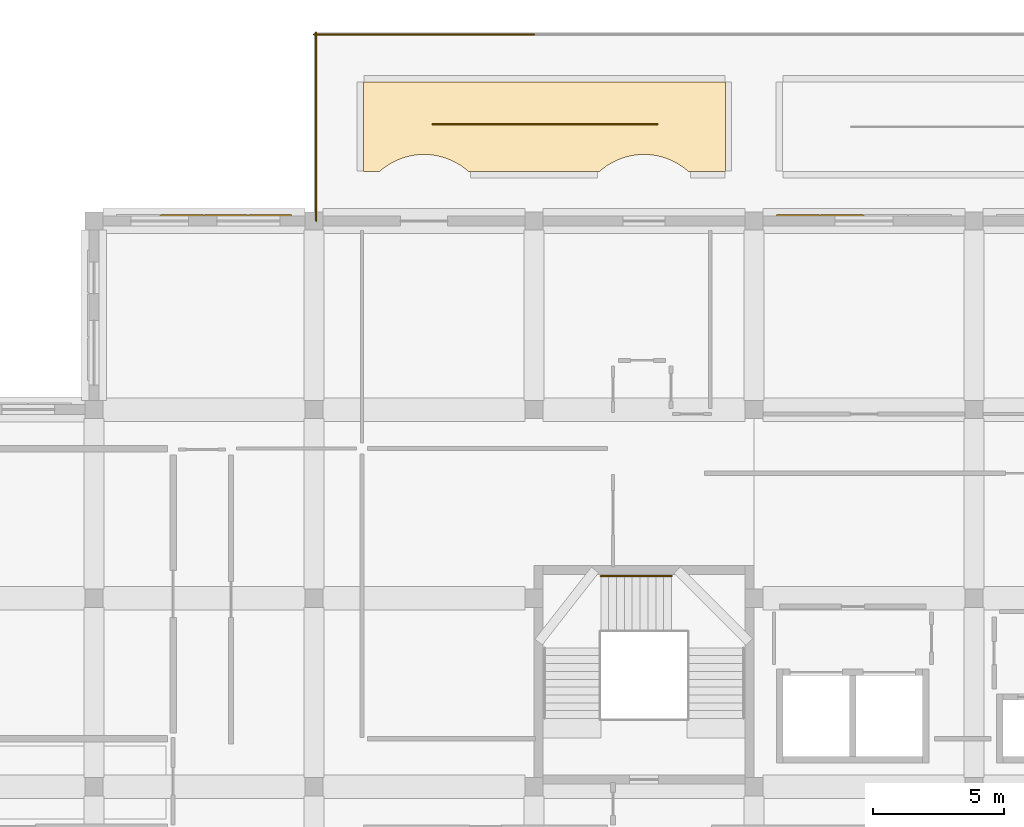
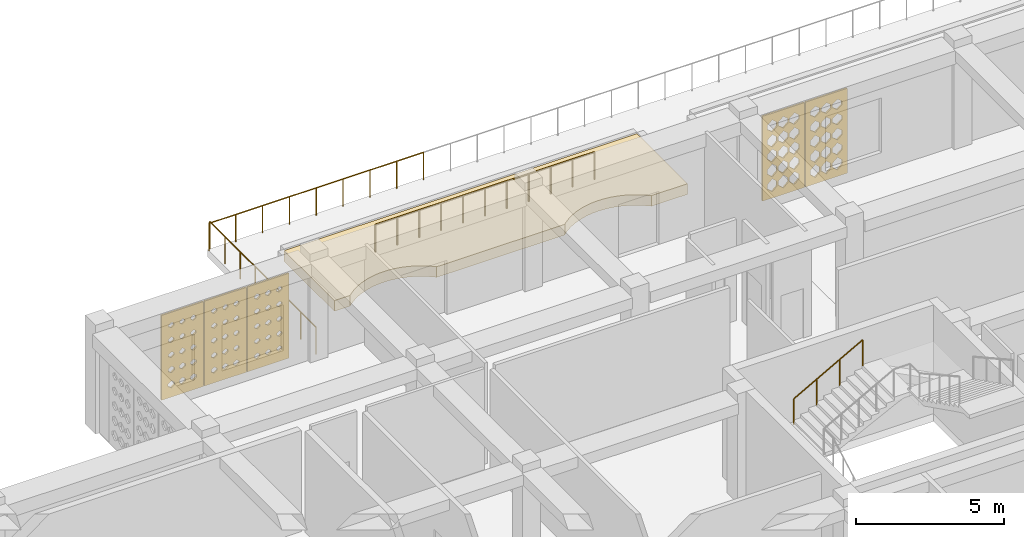
# One storey, part 72 of 79: 6 coverings, 4 railings.
"""IFC4 building model written with IfcOpenShell, lengths in metres."""

from ifc_helpers import new_model, si_unit, derived_unit, direction, frame, origin, origin_2d, place, context, subcontext, project, spatial, polyline, circle, outline, extrude, material, layer, layer_set, type_object, element, save


model = new_model("IFC4")

# Units and contexts
model_context = context("Model", 3, precision=1e-05, world=origin(), true_north=direction((0.0, 1.0)))
body_context = subcontext(model_context, "Body", "Model", "MODEL_VIEW")
ifc_project = project(units=[si_unit("LENGTHUNIT", "METRE"), si_unit("AREAUNIT", "SQUARE_METRE"), si_unit("VOLUMEUNIT", "CUBIC_METRE"), si_unit("PLANEANGLEUNIT", "RADIAN"), si_unit("MASSUNIT", "GRAM", prefix="KILO"), derived_unit("THERMALTRANSMITTANCEUNIT", [(si_unit("POWERUNIT", "WATT"), 1), (si_unit("LENGTHUNIT", "METRE"), -2), (si_unit("THERMODYNAMICTEMPERATUREUNIT", "KELVIN"), -1)])], contexts=[model_context])

# Site, building, storey
site_placement = place(None, origin())
site = spatial("IfcSite", under=ifc_project, at=site_placement, CompositionType="ELEMENT")
building_placement = place(site_placement, origin())
building = spatial("IfcBuilding", under=site, at=building_placement, Name="Veybourne Emporium", CompositionType="ELEMENT")
storey_placement = place(building_placement, frame((0.0, 0.0, 18.89990234375)))
storey = spatial("IfcBuildingStorey", under=building, at=storey_placement, Name="L04", CompositionType="ELEMENT", Elevation=18.89990234375)

# Railings
ifc_material_1 = material(Name="Patinated Architectural Bronze", Category="bronze")
railing_type_1 = type_object("IfcRailingType", Name="Guard_GR-02", PredefinedType="GUARDRAIL", material=ifc_material_1)
railing_1_placement = place(storey_placement, frame((42.0, 100.719970703125, 0.0)))
element("IfcRailing", 1, at=railing_1_placement, inside=storey, type_object=railing_type_1, Name="L04 terrace perimeter guardrail 001", PredefinedType="GUARDRAIL", context=body_context, shape_type="SweptSolid", body=[
    extrude(circle(Radius=0.02392578125, at=origin_2d()), frame((0.0, 0.0, 1.1259765625), z_axis=(1.0, 0.0, 0.0), x_axis=(0.0, 1.0, 0.0)), (0.0, 0.0, 1.0), 8.39990234375),
    extrude(circle(Radius=0.02099609375, at=origin_2d()), origin(), (0.0, 0.0, 1.0), 1.101806640625),
    extrude(circle(Radius=0.02099609375, at=origin_2d()), frame((1.050048828125, 0.0, 0.0)), (0.0, 0.0, 1.0), 1.101806640625),
    extrude(circle(Radius=0.02099609375, at=origin_2d()), frame((2.10009765625, 0.0, 0.0)), (0.0, 0.0, 1.0), 1.101806640625),
    extrude(circle(Radius=0.02099609375, at=origin_2d()), frame((3.14990234375, 0.0, 0.0)), (0.0, 0.0, 1.0), 1.101806640625),
    extrude(circle(Radius=0.02099609375, at=origin_2d()), frame((4.199951171875, 0.0, 0.0)), (0.0, 0.0, 1.0), 1.101806640625),
    extrude(circle(Radius=0.02099609375, at=origin_2d()), frame((5.25, 0.0, 0.0)), (0.0, 0.0, 1.0), 1.101806640625),
    extrude(circle(Radius=0.02099609375, at=origin_2d()), frame((6.2998046875, 0.0, 0.0)), (0.0, 0.0, 1.0), 1.101806640625),
    extrude(circle(Radius=0.02099609375, at=origin_2d()), frame((7.349853515625, 0.0, 0.0)), (0.0, 0.0, 1.0), 1.101806640625),
    extrude(circle(Radius=0.02099609375, at=origin_2d()), frame((8.39990234375, 0.0, 0.0)), (0.0, 0.0, 1.0), 1.101806640625),
])
railing_2_placement = place(storey_placement, frame((42.080078125, 93.60009765625, 0.0)))
element("IfcRailing", 2, at=railing_2_placement, inside=storey, type_object=railing_type_1, Name="L04 terrace perimeter guardrail 002", PredefinedType="GUARDRAIL", context=body_context, shape_type="SweptSolid", body=[
    extrude(circle(Radius=0.02392578125, at=origin_2d()), frame((0.0, 0.0, 1.1259765625), z_axis=(0.0, 1.0, 0.0), x_axis=(-1.0, 0.0, 0.0)), (0.0, 0.0, 1.0), 7.199951171875),
    extrude(circle(Radius=0.02099609375, at=origin_2d()), origin(), (0.0, 0.0, 1.0), 1.101806640625),
    extrude(circle(Radius=0.02099609375, at=origin_2d()), frame((0.0, 1.028564453125, 0.0)), (0.0, 0.0, 1.0), 1.101806640625),
    extrude(circle(Radius=0.02099609375, at=origin_2d()), frame((0.0, 2.05712890625, 0.0)), (0.0, 0.0, 1.0), 1.101806640625),
    extrude(circle(Radius=0.02099609375, at=origin_2d()), frame((0.0, 3.085693359375, 0.0)), (0.0, 0.0, 1.0), 1.101806640625),
    extrude(circle(Radius=0.02099609375, at=origin_2d()), frame((0.0, 4.1142578125, 0.0)), (0.0, 0.0, 1.0), 1.101806640625),
    extrude(circle(Radius=0.02099609375, at=origin_2d()), frame((0.0, 5.142822265625, 0.0)), (0.0, 0.0, 1.0), 1.101806640625),
    extrude(circle(Radius=0.02099609375, at=origin_2d()), frame((0.0, 6.17138671875, 0.0)), (0.0, 0.0, 1.0), 1.101806640625),
    extrude(circle(Radius=0.02099609375, at=origin_2d()), frame((0.0, 7.199951171875, 0.0)), (0.0, 0.0, 1.0), 1.101806640625),
])
railing_3_placement = place(storey_placement, frame((46.531494140625, 97.291015625, 0.440185546875)))
element("IfcRailing", 3, at=railing_3_placement, inside=storey, type_object=railing_type_1, Name="L04 bronze roof-garden trellis balustrade 1.2", PredefinedType="GUARDRAIL", context=body_context, shape_type="SweptSolid", body=[
    extrude(circle(Radius=0.02392578125, at=origin_2d()), frame((0.0, 0.0, 1.1259765625), z_axis=(1.0, 0.0, 0.0), x_axis=(0.0, 1.0, 0.0)), (0.0, 0.0, 1.0), 8.580078125),
    extrude(circle(Radius=0.02099609375, at=origin_2d()), origin(), (0.0, 0.0, 1.0), 1.101806640625),
    extrude(circle(Radius=0.02099609375, at=origin_2d()), frame((0.85791015625, 0.0, 0.0)), (0.0, 0.0, 1.0), 1.101806640625),
    extrude(circle(Radius=0.02099609375, at=origin_2d()), frame((1.716064453125, 0.0, 0.0)), (0.0, 0.0, 1.0), 1.101806640625),
    extrude(circle(Radius=0.02099609375, at=origin_2d()), frame((2.573974609375, 0.0, 0.0)), (0.0, 0.0, 1.0), 1.101806640625),
    extrude(circle(Radius=0.02099609375, at=origin_2d()), frame((3.43212890625, 0.0, 0.0)), (0.0, 0.0, 1.0), 1.101806640625),
    extrude(circle(Radius=0.02099609375, at=origin_2d()), frame((4.2900390625, 0.0, 0.0)), (0.0, 0.0, 1.0), 1.101806640625),
    extrude(circle(Radius=0.02099609375, at=origin_2d()), frame((5.14794921875, 0.0, 0.0)), (0.0, 0.0, 1.0), 1.101806640625),
    extrude(circle(Radius=0.02099609375, at=origin_2d()), frame((6.006103515625, 0.0, 0.0)), (0.0, 0.0, 1.0), 1.101806640625),
    extrude(circle(Radius=0.02099609375, at=origin_2d()), frame((6.864013671875, 0.0, 0.0)), (0.0, 0.0, 1.0), 1.101806640625),
    extrude(circle(Radius=0.02099609375, at=origin_2d()), frame((7.72216796875, 0.0, 0.0)), (0.0, 0.0, 1.0), 1.101806640625),
    extrude(circle(Radius=0.02099609375, at=origin_2d()), frame((8.580078125, 0.0, 0.0)), (0.0, 0.0, 1.0), 1.101806640625),
])
ifc_material_2 = material(Name="Brushed Stainless Steel", Category="steel")
railing_type_2 = type_object("IfcRailingType", Name="Handrail_HR-01", PredefinedType="HANDRAIL", material=ifc_material_2)
railing_4_placement = place(storey_placement, frame((52.949951171875, 80.0400390625, 1.650146484375)))
element("IfcRailing", 4, at=railing_4_placement, inside=storey, type_object=railing_type_2, Name="L04 ST-03 pitch handrail 2", PredefinedType="HANDRAIL", context=body_context, shape_type="SweptSolid", body=[
    extrude(circle(Radius=0.02392578125, at=origin_2d()), frame((0.0, 0.0, 0.92578125), z_axis=(0.87415354758, 0.0, 0.485649642493), x_axis=(0.0, 1.0, 0.0)), (0.0, 0.0, 1.0), 3.088623046875),
    extrude(circle(Radius=0.02099609375, at=origin_2d()), frame((0.0, 0.0, -0.14990234375)), (0.0, 0.0, 1.0), 1.0517578125),
    extrude(circle(Radius=0.02099609375, at=origin_2d()), frame((0.89990234375, 0.0, 0.35009765625)), (0.0, 0.0, 1.0), 1.0517578125),
    extrude(circle(Radius=0.02099609375, at=origin_2d()), frame((1.800048828125, 0.0, 0.85009765625)), (0.0, 0.0, 1.0), 1.0517578125),
    extrude(circle(Radius=0.02099609375, at=origin_2d()), frame((2.699951171875, 0.0, 1.35009765625)), (0.0, 0.0, 1.0), 1.0517578125),
])

# Coverings
ifc_material_3 = material(Name="Intensive Green Roof Build-up", Category="membrane")
ifc_layer_1 = layer(ifc_material_3, 0.43994140625)
ifc_layer_set_1 = layer_set([ifc_layer_1], Name="Intensive Green Roof Build-up")
covering_type_1 = type_object("IfcCoveringType", Name="Roofing_RFG-02", PredefinedType="ROOFING", material=ifc_layer_set_1)
covering_1_placement = place(storey_placement, origin())
element("IfcCovering", 5, at=covering_1_placement, inside=storey, type_object=covering_type_1, Name="L04 intensive planted garden bed 1.2", PredefinedType="ROOFING", context=body_context, shape_type="SweptSolid", body=[
    extrude(outline(polyline([(44.505615234375, 95.489990234375), (43.889892578125, 95.489990234375), (43.889892578125, 98.909912109375), (57.7099609375, 98.909912109375), (57.7099609375, 95.489990234375), (56.29443359375, 95.489990234375), (56.24755859375, 95.532470703125), (56.173828125, 95.5927734375), (56.050048828125, 95.6845703125), (55.970947265625, 95.737548828125), (55.8388671875, 95.816650390625), (55.7548828125, 95.861572265625), (55.615478515625, 95.927490234375), (55.527587890625, 95.9638671875), (55.382568359375, 96.015869140625), (55.29150390625, 96.04345703125), (55.14208984375, 96.080810546875), (55.048583984375, 96.099365234375), (54.896240234375, 96.1220703125), (54.801513671875, 96.13134765625), (54.647705078125, 96.138916015625), (54.552490234375, 96.138916015625), (54.3984375, 96.13134765625), (54.3037109375, 96.1220703125), (54.1513671875, 96.099365234375), (54.05810546875, 96.080810546875), (53.908447265625, 96.04345703125), (53.8173828125, 96.015869140625), (53.67236328125, 95.9638671875), (53.58447265625, 95.927490234375), (53.445068359375, 95.861572265625), (53.361083984375, 95.816650390625), (53.22900390625, 95.737548828125), (53.14990234375, 95.6845703125), (53.026123046875, 95.5927734375), (52.952392578125, 95.532470703125), (52.90576171875, 95.489990234375), (47.894287109375, 95.489990234375), (47.847412109375, 95.532470703125), (47.77392578125, 95.5927734375), (47.650146484375, 95.6845703125), (47.571044921875, 95.737548828125), (47.438720703125, 95.816650390625), (47.35498046875, 95.861572265625), (47.215576171875, 95.927490234375), (47.127685546875, 95.9638671875), (46.982666015625, 96.015869140625), (46.8916015625, 96.04345703125), (46.741943359375, 96.080810546875), (46.648681640625, 96.099365234375), (46.496337890625, 96.1220703125), (46.401611328125, 96.13134765625), (46.24755859375, 96.138916015625), (46.15234375, 96.138916015625), (45.99853515625, 96.13134765625), (45.90380859375, 96.1220703125), (45.75146484375, 96.099365234375), (45.657958984375, 96.080810546875), (45.508544921875, 96.04345703125), (45.41748046875, 96.015869140625), (45.2724609375, 95.9638671875), (45.184326171875, 95.927490234375), (45.045166015625, 95.861572265625), (44.961181640625, 95.816650390625), (44.8291015625, 95.737548828125), (44.749755859375, 95.6845703125), (44.6259765625, 95.5927734375), (44.552490234375, 95.532470703125), (44.505615234375, 95.489990234375)])), origin(), (0.0, 0.0, 1.0), 0.440185546875),
])
ifc_material_4 = material(Name="Warm-White Perforated Aluminium Screen Alloy", Category="aluminium")
ifc_layer_2 = layer(ifc_material_4, 0.06005859375)
ifc_layer_set_2 = layer_set([ifc_layer_2], Name="Warm-White Perforated Aluminium Screen Alloy")
covering_type_2 = type_object("IfcCoveringType", Name="WaveScreen_SCR-01", PredefinedType="CLADDING", material=ifc_layer_set_2)
covering_2_placement = place(storey_placement, frame((36.9599609375, 93.84814453125, 1.815185546875), z_axis=(0.0, -1.0, 0.0), x_axis=(1.0, 0.0, 0.0)))
element("IfcCovering", 6, at=covering_2_placement, inside=storey, type_object=covering_type_2, Name="L04 wave-perforated aluminium screen SCR-01 (22.2)", PredefinedType="CLADDING", context=body_context, shape_type="SweptSolid", body=[
    extrude(outline(polyline([(-0.81982421875, -1.7548828125), (0.81982421875, -1.7548828125), (0.81982421875, 1.7548828125), (-0.81982421875, 1.7548828125), (-0.81982421875, -1.7548828125)]), holes=[polyline([(-0.433349609375, -1.0849609375), (-0.306396484375, -1.176513671875), (-0.306396484375, -1.279541015625), (-0.433349609375, -1.37109375), (-0.560302734375, -1.279541015625), (-0.560302734375, -1.176513671875), (-0.433349609375, -1.0849609375)]), polyline([(-0.433349609375, -0.481689453125), (-0.31494140625, -0.56640625), (-0.31494140625, -0.66162109375), (-0.433349609375, -0.746337890625), (-0.5517578125, -0.66162109375), (-0.5517578125, -0.56640625), (-0.433349609375, -0.481689453125)]), polyline([(-0.433349609375, 0.12353515625), (-0.322265625, 0.04443359375), (-0.322265625, -0.04443359375), (-0.433349609375, -0.12353515625), (-0.54443359375, -0.04443359375), (-0.54443359375, 0.04443359375), (-0.433349609375, 0.12353515625)]), polyline([(-0.433349609375, 0.73095703125), (-0.32763671875, 0.656005859375), (-0.32763671875, 0.572021484375), (-0.433349609375, 0.4970703125), (-0.5390625, 0.572021484375), (-0.5390625, 0.656005859375), (-0.433349609375, 0.73095703125)]), polyline([(-0.433349609375, 1.34033203125), (-0.331298828125, 1.268310546875), (-0.331298828125, 1.1875), (-0.433349609375, 1.11572265625), (-0.535400390625, 1.1875), (-0.535400390625, 1.268310546875), (-0.433349609375, 1.34033203125)]), polyline([(0.0, -1.090087890625), (0.122802734375, -1.17822265625), (0.122802734375, -1.277587890625), (0.0, -1.365966796875), (-0.122802734375, -1.277587890625), (-0.122802734375, -1.17822265625), (0.0, -1.090087890625)]), polyline([(0.0, -0.48583984375), (0.114990234375, -0.56787109375), (0.114990234375, -0.66015625), (0.0, -0.7421875), (-0.114990234375, -0.66015625), (-0.114990234375, -0.56787109375), (0.0, -0.48583984375)]), polyline([(0.0, 0.120361328125), (0.1083984375, 0.043212890625), (0.1083984375, -0.043212890625), (0.0, -0.120361328125), (-0.1083984375, -0.043212890625), (-0.1083984375, 0.043212890625), (0.0, 0.120361328125)]), polyline([(0.0, 0.728515625), (0.103759765625, 0.6552734375), (0.103759765625, 0.57275390625), (0.0, 0.49951171875), (-0.103759765625, 0.57275390625), (-0.103759765625, 0.6552734375), (0.0, 0.728515625)]), polyline([(0.0, 1.339111328125), (0.100830078125, 1.26806640625), (0.100830078125, 1.18798828125), (0.0, 1.116943359375), (-0.100830078125, 1.18798828125), (-0.100830078125, 1.26806640625), (0.0, 1.339111328125)]), polyline([(0.433349609375, -1.0947265625), (0.552490234375, -1.179931640625), (0.552490234375, -1.27587890625), (0.433349609375, -1.361328125), (0.314208984375, -1.27587890625), (0.314208984375, -1.179931640625), (0.433349609375, -1.0947265625)]), polyline([(0.433349609375, -0.489501953125), (0.545166015625, -0.569091796875), (0.545166015625, -0.65869140625), (0.433349609375, -0.73828125), (0.321533203125, -0.65869140625), (0.321533203125, -0.569091796875), (0.433349609375, -0.489501953125)]), polyline([(0.433349609375, 0.117431640625), (0.539306640625, 0.042236328125), (0.539306640625, -0.042236328125), (0.433349609375, -0.117431640625), (0.327392578125, -0.042236328125), (0.327392578125, 0.042236328125), (0.433349609375, 0.117431640625)]), polyline([(0.433349609375, 0.726806640625), (0.535400390625, 0.654541015625), (0.535400390625, 0.573486328125), (0.433349609375, 0.501220703125), (0.331298828125, 0.573486328125), (0.331298828125, 0.654541015625), (0.433349609375, 0.726806640625)]), polyline([(0.433349609375, 1.33837890625), (0.53369140625, 1.267578125), (0.53369140625, 1.188232421875), (0.433349609375, 1.11767578125), (0.3330078125, 1.188232421875), (0.3330078125, 1.267578125), (0.433349609375, 1.33837890625)])]), origin(), (0.0, 0.0, 1.0), 0.06005859375),
])
covering_3_placement = place(storey_placement, frame((60.47998046875, 93.84814453125, 1.815185546875), z_axis=(0.0, -1.0, 0.0), x_axis=(1.0, 0.0, 0.0)))
element("IfcCovering", 7, at=covering_3_placement, inside=storey, type_object=covering_type_2, Name="L04 wave-perforated aluminium screen SCR-01 (35T.1)", PredefinedType="CLADDING", context=body_context, shape_type="SweptSolid", body=[
    extrude(outline(polyline([(-0.81982421875, -1.7548828125), (0.81982421875, -1.7548828125), (0.81982421875, 1.7548828125), (-0.81982421875, 1.7548828125), (-0.81982421875, -1.7548828125)]), holes=[polyline([(-0.433349609375, -0.964111328125), (-0.2470703125, -1.133056640625), (-0.2470703125, -1.322998046875), (-0.433349609375, -1.491943359375), (-0.61962890625, -1.322998046875), (-0.61962890625, -1.133056640625), (-0.433349609375, -0.964111328125)]), polyline([(-0.433349609375, -0.35009765625), (-0.2470703125, -0.51904296875), (-0.2470703125, -0.708984375), (-0.433349609375, -0.8779296875), (-0.61962890625, -0.708984375), (-0.61962890625, -0.51904296875), (-0.433349609375, -0.35009765625)]), polyline([(-0.433349609375, 0.263916015625), (-0.2470703125, 0.094970703125), (-0.2470703125, -0.094970703125), (-0.433349609375, -0.263916015625), (-0.61962890625, -0.094970703125), (-0.61962890625, 0.094970703125), (-0.433349609375, 0.263916015625)]), polyline([(-0.433349609375, 0.87060546875), (-0.2470703125, 0.706298828125), (-0.2470703125, 0.521484375), (-0.433349609375, 0.357421875), (-0.61962890625, 0.521484375), (-0.61962890625, 0.706298828125), (-0.433349609375, 0.87060546875)]), polyline([(-0.433349609375, 1.474853515625), (-0.2470703125, 1.31689453125), (-0.2470703125, 1.13916015625), (-0.433349609375, 0.981201171875), (-0.61962890625, 1.13916015625), (-0.61962890625, 1.31689453125), (-0.433349609375, 1.474853515625)]), polyline([(0.0, -0.964111328125), (0.186279296875, -1.133056640625), (0.186279296875, -1.322998046875), (0.0, -1.491943359375), (-0.186279296875, -1.322998046875), (-0.186279296875, -1.133056640625), (0.0, -0.964111328125)]), polyline([(0.0, -0.35009765625), (0.186279296875, -0.51904296875), (0.186279296875, -0.708984375), (0.0, -0.8779296875), (-0.186279296875, -0.708984375), (-0.186279296875, -0.51904296875), (0.0, -0.35009765625)]), polyline([(0.0, 0.26123046875), (0.186279296875, 0.093994140625), (0.186279296875, -0.093994140625), (0.0, -0.26123046875), (-0.186279296875, -0.093994140625), (-0.186279296875, 0.093994140625), (0.0, 0.26123046875)]), polyline([(0.0, 0.866455078125), (0.186279296875, 0.704833984375), (0.186279296875, 0.523193359375), (0.0, 0.361572265625), (-0.186279296875, 0.523193359375), (-0.186279296875, 0.704833984375), (0.0, 0.866455078125)]), polyline([(0.0, 1.4697265625), (0.186279296875, 1.31494140625), (0.186279296875, 1.14111328125), (0.0, 0.986083984375), (-0.186279296875, 1.14111328125), (-0.186279296875, 1.31494140625), (0.0, 1.4697265625)]), polyline([(0.433349609375, -0.964111328125), (0.61962890625, -1.133056640625), (0.61962890625, -1.322998046875), (0.433349609375, -1.491943359375), (0.2470703125, -1.322998046875), (0.2470703125, -1.133056640625), (0.433349609375, -0.964111328125)]), polyline([(0.433349609375, -0.35009765625), (0.61962890625, -0.51904296875), (0.61962890625, -0.708984375), (0.433349609375, -0.8779296875), (0.2470703125, -0.708984375), (0.2470703125, -0.51904296875), (0.433349609375, -0.35009765625)]), polyline([(0.433349609375, 0.25732421875), (0.61962890625, 0.0927734375), (0.61962890625, -0.0927734375), (0.433349609375, -0.25732421875), (0.2470703125, -0.0927734375), (0.2470703125, 0.0927734375), (0.433349609375, 0.25732421875)]), polyline([(0.433349609375, 0.86181640625), (0.61962890625, 0.703125), (0.61962890625, 0.52490234375), (0.433349609375, 0.3662109375), (0.2470703125, 0.52490234375), (0.2470703125, 0.703125), (0.433349609375, 0.86181640625)]), polyline([(0.433349609375, 1.464599609375), (0.61962890625, 1.31298828125), (0.61962890625, 1.142822265625), (0.433349609375, 0.991455078125), (0.2470703125, 1.142822265625), (0.2470703125, 1.31298828125), (0.433349609375, 1.464599609375)])]), origin(), (0.0, 0.0, 1.0), 0.06005859375),
])
ifc_layer_3 = layer(ifc_material_4, 0.06005859375)
ifc_layer_set_3 = layer_set([ifc_layer_3], Name="Warm-White Perforated Aluminium Screen Alloy")
covering_type_3 = type_object("IfcCoveringType", Name="WaveScreen_SCR-02", PredefinedType="CLADDING", material=ifc_layer_set_3)
covering_4_placement = place(storey_placement, frame((38.639892578125, 93.84814453125, 1.815185546875), z_axis=(0.0, -1.0, 0.0), x_axis=(1.0, 0.0, 0.0)))
element("IfcCovering", 8, at=covering_4_placement, inside=storey, type_object=covering_type_3, Name="L04 wave-perforated aluminium screen SCR-02 (22.3)", PredefinedType="CLADDING", context=body_context, shape_type="SweptSolid", body=[
    extrude(outline(polyline([(-0.81982421875, -1.7548828125), (0.81982421875, -1.7548828125), (0.81982421875, 1.7548828125), (-0.81982421875, 1.7548828125), (-0.81982421875, -1.7548828125)]), holes=[polyline([(-0.433349609375, -1.102294921875), (-0.320556640625, -1.182861328125), (-0.320556640625, -1.273193359375), (-0.433349609375, -1.353515625), (-0.546142578125, -1.273193359375), (-0.546142578125, -1.182861328125), (-0.433349609375, -1.102294921875)]), polyline([(-0.433349609375, -0.49560546875), (-0.326416015625, -0.5712890625), (-0.326416015625, -0.656494140625), (-0.433349609375, -0.732421875), (-0.5400390625, -0.656494140625), (-0.5400390625, -0.5712890625), (-0.433349609375, -0.49560546875)]), polyline([(-0.433349609375, 0.11328125), (-0.330810546875, 0.040771484375), (-0.330810546875, -0.040771484375), (-0.433349609375, -0.11328125), (-0.535888671875, -0.040771484375), (-0.535888671875, 0.040771484375), (-0.433349609375, 0.11328125)]), polyline([(-0.433349609375, 0.724609375), (-0.3330078125, 0.65380859375), (-0.3330078125, 0.57421875), (-0.433349609375, 0.50341796875), (-0.53369140625, 0.57421875), (-0.53369140625, 0.65380859375), (-0.433349609375, 0.724609375)]), polyline([(-0.433349609375, 1.338134765625), (-0.333251953125, 1.267578125), (-0.333251953125, 1.188232421875), (-0.433349609375, 1.117919921875), (-0.533447265625, 1.188232421875), (-0.533447265625, 1.267578125), (-0.433349609375, 1.338134765625)]), polyline([(0.0, -1.10595703125), (0.10986328125, -1.18408203125), (0.10986328125, -1.27197265625), (0.0, -1.35009765625), (-0.10986328125, -1.27197265625), (-0.10986328125, -1.18408203125), (0.0, -1.10595703125)]), polyline([(0.0, -0.498291015625), (0.104736328125, -0.572265625), (0.104736328125, -0.65576171875), (0.0, -0.729736328125), (-0.104736328125, -0.65576171875), (-0.104736328125, -0.572265625), (0.0, -0.498291015625)]), polyline([(0.0, 0.11181640625), (0.101318359375, 0.040283203125), (0.101318359375, -0.040283203125), (0.0, -0.11181640625), (-0.101318359375, -0.040283203125), (-0.101318359375, 0.040283203125), (0.0, 0.11181640625)]), polyline([(0.0, 0.72412109375), (0.10009765625, 0.653564453125), (0.10009765625, 0.574462890625), (0.0, 0.50390625), (-0.10009765625, 0.574462890625), (-0.10009765625, 0.653564453125), (0.0, 0.72412109375)]), polyline([(0.0, 1.3388671875), (0.1005859375, 1.267822265625), (0.1005859375, 1.18798828125), (0.0, 1.1171875), (-0.1005859375, 1.18798828125), (-0.1005859375, 1.267822265625), (0.0, 1.3388671875)]), polyline([(0.433349609375, -1.109130859375), (0.54052734375, -1.185302734375), (0.54052734375, -1.270751953125), (0.433349609375, -1.346923828125), (0.326171875, -1.270751953125), (0.326171875, -1.185302734375), (0.433349609375, -1.109130859375)]), polyline([(0.433349609375, -0.50048828125), (0.536376953125, -0.572998046875), (0.536376953125, -0.65478515625), (0.433349609375, -0.7275390625), (0.330322265625, -0.65478515625), (0.330322265625, -0.572998046875), (0.433349609375, -0.50048828125)]), polyline([(0.433349609375, 0.110595703125), (0.533935546875, 0.039794921875), (0.533935546875, -0.039794921875), (0.433349609375, -0.110595703125), (0.332763671875, -0.039794921875), (0.332763671875, 0.039794921875), (0.433349609375, 0.110595703125)]), polyline([(0.433349609375, 0.72412109375), (0.533447265625, 0.653564453125), (0.533447265625, 0.574462890625), (0.433349609375, 0.50390625), (0.333251953125, 0.574462890625), (0.333251953125, 0.653564453125), (0.433349609375, 0.72412109375)]), polyline([(0.433349609375, 1.340087890625), (0.534912109375, 1.268310546875), (0.534912109375, 1.187744140625), (0.433349609375, 1.115966796875), (0.331787109375, 1.187744140625), (0.331787109375, 1.268310546875), (0.433349609375, 1.340087890625)])]), origin(), (0.0, 0.0, 1.0), 0.06005859375),
])
covering_5_placement = place(storey_placement, frame((62.159912109375, 93.84814453125, 1.815185546875), z_axis=(0.0, -1.0, 0.0), x_axis=(1.0, 0.0, 0.0)))
element("IfcCovering", 9, at=covering_5_placement, inside=storey, type_object=covering_type_3, Name="L04 wave-perforated aluminium screen SCR-02 (35T.2)", PredefinedType="CLADDING", context=body_context, shape_type="SweptSolid", body=[
    extrude(outline(polyline([(-0.81982421875, -1.7548828125), (0.81982421875, -1.7548828125), (0.81982421875, 1.7548828125), (-0.81982421875, 1.7548828125), (-0.81982421875, -1.7548828125)]), holes=[polyline([(-0.433349609375, -0.964111328125), (-0.2470703125, -1.133056640625), (-0.2470703125, -1.322998046875), (-0.433349609375, -1.491943359375), (-0.61962890625, -1.322998046875), (-0.61962890625, -1.133056640625), (-0.433349609375, -0.964111328125)]), polyline([(-0.433349609375, -0.355224609375), (-0.2470703125, -0.52099609375), (-0.2470703125, -0.70703125), (-0.433349609375, -0.872802734375), (-0.61962890625, -0.70703125), (-0.61962890625, -0.52099609375), (-0.433349609375, -0.355224609375)]), polyline([(-0.433349609375, 0.249267578125), (-0.2470703125, 0.089599609375), (-0.2470703125, -0.089599609375), (-0.433349609375, -0.249267578125), (-0.61962890625, -0.089599609375), (-0.61962890625, 0.089599609375), (-0.433349609375, 0.249267578125)]), polyline([(-0.433349609375, 0.852294921875), (-0.2470703125, 0.69970703125), (-0.2470703125, 0.5283203125), (-0.433349609375, 0.375732421875), (-0.61962890625, 0.5283203125), (-0.61962890625, 0.69970703125), (-0.433349609375, 0.852294921875)]), polyline([(-0.433349609375, 1.453857421875), (-0.2470703125, 1.309326171875), (-0.2470703125, 1.146728515625), (-0.433349609375, 1.002197265625), (-0.61962890625, 1.146728515625), (-0.61962890625, 1.309326171875), (-0.433349609375, 1.453857421875)]), polyline([(0.0, -0.965087890625), (0.186279296875, -1.13330078125), (0.186279296875, -1.32275390625), (0.0, -1.490966796875), (-0.186279296875, -1.32275390625), (-0.186279296875, -1.13330078125), (0.0, -0.965087890625)]), polyline([(0.0, -0.359375), (0.186279296875, -0.522216796875), (0.186279296875, -0.705810546875), (0.0, -0.86865234375), (-0.186279296875, -0.705810546875), (-0.186279296875, -0.522216796875), (0.0, -0.359375)]), polyline([(0.0, 0.244384765625), (0.186279296875, 0.087890625), (0.186279296875, -0.087890625), (0.0, -0.244384765625), (-0.186279296875, -0.087890625), (-0.186279296875, 0.087890625), (0.0, 0.244384765625)]), polyline([(0.0, 0.8466796875), (0.186279296875, 0.69775390625), (0.186279296875, 0.5302734375), (0.0, 0.38134765625), (-0.186279296875, 0.5302734375), (-0.186279296875, 0.69775390625), (0.0, 0.8466796875)]), polyline([(0.0, 1.44775390625), (0.186279296875, 1.30712890625), (0.186279296875, 1.14892578125), (0.0, 1.00830078125), (-0.186279296875, 1.14892578125), (-0.186279296875, 1.30712890625), (0.0, 1.44775390625)]), polyline([(0.433349609375, -0.968505859375), (0.61962890625, -1.134521484375), (0.61962890625, -1.3212890625), (0.433349609375, -1.487548828125), (0.2470703125, -1.3212890625), (0.2470703125, -1.134521484375), (0.433349609375, -0.968505859375)]), polyline([(0.433349609375, -0.36376953125), (0.61962890625, -0.52392578125), (0.61962890625, -0.7041015625), (0.433349609375, -0.8642578125), (0.2470703125, -0.7041015625), (0.2470703125, -0.52392578125), (0.433349609375, -0.36376953125)]), polyline([(0.433349609375, 0.2392578125), (0.61962890625, 0.086181640625), (0.61962890625, -0.086181640625), (0.433349609375, -0.2392578125), (0.2470703125, -0.086181640625), (0.2470703125, 0.086181640625), (0.433349609375, 0.2392578125)]), polyline([(0.433349609375, 0.841064453125), (0.61962890625, 0.69580078125), (0.61962890625, 0.5322265625), (0.433349609375, 0.386962890625), (0.2470703125, 0.5322265625), (0.2470703125, 0.69580078125), (0.433349609375, 0.841064453125)]), polyline([(0.433349609375, 1.441650390625), (0.6181640625, 1.304931640625), (0.6181640625, 1.151123046875), (0.433349609375, 1.014404296875), (0.24853515625, 1.151123046875), (0.24853515625, 1.304931640625), (0.433349609375, 1.441650390625)])]), origin(), (0.0, 0.0, 1.0), 0.06005859375),
])
ifc_layer_4 = layer(ifc_material_4, 0.06005859375)
ifc_layer_set_4 = layer_set([ifc_layer_4], Name="Warm-White Perforated Aluminium Screen Alloy")
covering_type_4 = type_object("IfcCoveringType", Name="WaveScreen_SCR-03", PredefinedType="CLADDING", material=ifc_layer_set_4)
covering_6_placement = place(storey_placement, frame((40.320068359375, 93.84814453125, 1.815185546875), z_axis=(0.0, -1.0, 0.0), x_axis=(1.0, 0.0, 0.0)))
element("IfcCovering", 10, at=covering_6_placement, inside=storey, type_object=covering_type_4, Name="L04 wave-perforated aluminium screen SCR-03 (22.4)", PredefinedType="CLADDING", context=body_context, shape_type="SweptSolid", body=[
    extrude(outline(polyline([(-0.81982421875, -1.7548828125), (0.81982421875, -1.7548828125), (0.81982421875, 1.7548828125), (-0.81982421875, 1.7548828125), (-0.81982421875, -1.7548828125)]), holes=[polyline([(-0.433349609375, -1.11376953125), (-0.329833984375, -1.18701171875), (-0.329833984375, -1.26904296875), (-0.433349609375, -1.34228515625), (-0.536865234375, -1.26904296875), (-0.536865234375, -1.18701171875), (-0.433349609375, -1.11376953125)]), polyline([(-0.433349609375, -0.503173828125), (-0.33251953125, -0.57421875), (-0.33251953125, -0.65380859375), (-0.433349609375, -0.724853515625), (-0.5341796875, -0.65380859375), (-0.5341796875, -0.57421875), (-0.433349609375, -0.503173828125)]), polyline([(-0.433349609375, 0.110107421875), (-0.333251953125, 0.03955078125), (-0.333251953125, -0.03955078125), (-0.433349609375, -0.110107421875), (-0.533203125, -0.03955078125), (-0.533203125, 0.03955078125), (-0.433349609375, 0.110107421875)]), polyline([(-0.433349609375, 0.7255859375), (-0.33203125, 0.654296875), (-0.33203125, 0.57373046875), (-0.433349609375, 0.50244140625), (-0.53466796875, 0.57373046875), (-0.53466796875, 0.654296875), (-0.433349609375, 0.7255859375)]), polyline([(-0.433349609375, 1.343505859375), (-0.328857421875, 1.26953125), (-0.328857421875, 1.186279296875), (-0.433349609375, 1.112548828125), (-0.537841796875, 1.186279296875), (-0.537841796875, 1.26953125), (-0.433349609375, 1.343505859375)]), polyline([(0.0, -1.115478515625), (0.10205078125, -1.1875), (0.10205078125, -1.2685546875), (0.0, -1.34033203125), (-0.10205078125, -1.2685546875), (-0.10205078125, -1.1875), (0.0, -1.115478515625)]), polyline([(0.0, -0.50390625), (0.10009765625, -0.57421875), (0.10009765625, -0.65380859375), (0.0, -0.72412109375), (-0.10009765625, -0.65380859375), (-0.10009765625, -0.57421875), (0.0, -0.50390625)]), polyline([(0.0, 0.1103515625), (0.100341796875, 0.039794921875), (0.100341796875, -0.039794921875), (0.0, -0.1103515625), (-0.100341796875, -0.039794921875), (-0.100341796875, 0.039794921875), (0.0, 0.1103515625)]), polyline([(0.0, 0.72705078125), (0.1025390625, 0.65478515625), (0.1025390625, 0.5732421875), (0.0, 0.5009765625), (-0.1025390625, 0.5732421875), (-0.1025390625, 0.65478515625), (0.0, 0.72705078125)]), polyline([(0.0, 1.345947265625), (0.1064453125, 1.2705078125), (0.1064453125, 1.185546875), (0.0, 1.110107421875), (-0.1064453125, 1.185546875), (-0.1064453125, 1.2705078125), (0.0, 1.345947265625)]), polyline([(0.433349609375, -1.116943359375), (0.5341796875, -1.18798828125), (0.5341796875, -1.26806640625), (0.433349609375, -1.339111328125), (0.33251953125, -1.26806640625), (0.33251953125, -1.18798828125), (0.433349609375, -1.116943359375)]), polyline([(0.433349609375, -0.50390625), (0.533203125, -0.574462890625), (0.533203125, -0.653564453125), (0.433349609375, -0.72412109375), (0.333251953125, -0.653564453125), (0.333251953125, -0.574462890625), (0.433349609375, -0.50390625)]), polyline([(0.433349609375, 0.111328125), (0.534423828125, 0.0400390625), (0.534423828125, -0.0400390625), (0.433349609375, -0.111328125), (0.332275390625, -0.0400390625), (0.332275390625, 0.0400390625), (0.433349609375, 0.111328125)]), polyline([(0.433349609375, 0.72900390625), (0.537353515625, 0.655517578125), (0.537353515625, 0.572509765625), (0.433349609375, 0.4990234375), (0.3291015625, 0.572509765625), (0.3291015625, 0.655517578125), (0.433349609375, 0.72900390625)]), polyline([(0.433349609375, 1.34912109375), (0.542236328125, 1.271484375), (0.542236328125, 1.184326171875), (0.433349609375, 1.10693359375), (0.324462890625, 1.184326171875), (0.324462890625, 1.271484375), (0.433349609375, 1.34912109375)])]), origin(), (0.0, 0.0, 1.0), 0.06005859375),
])

save(model, "model.ifc")
